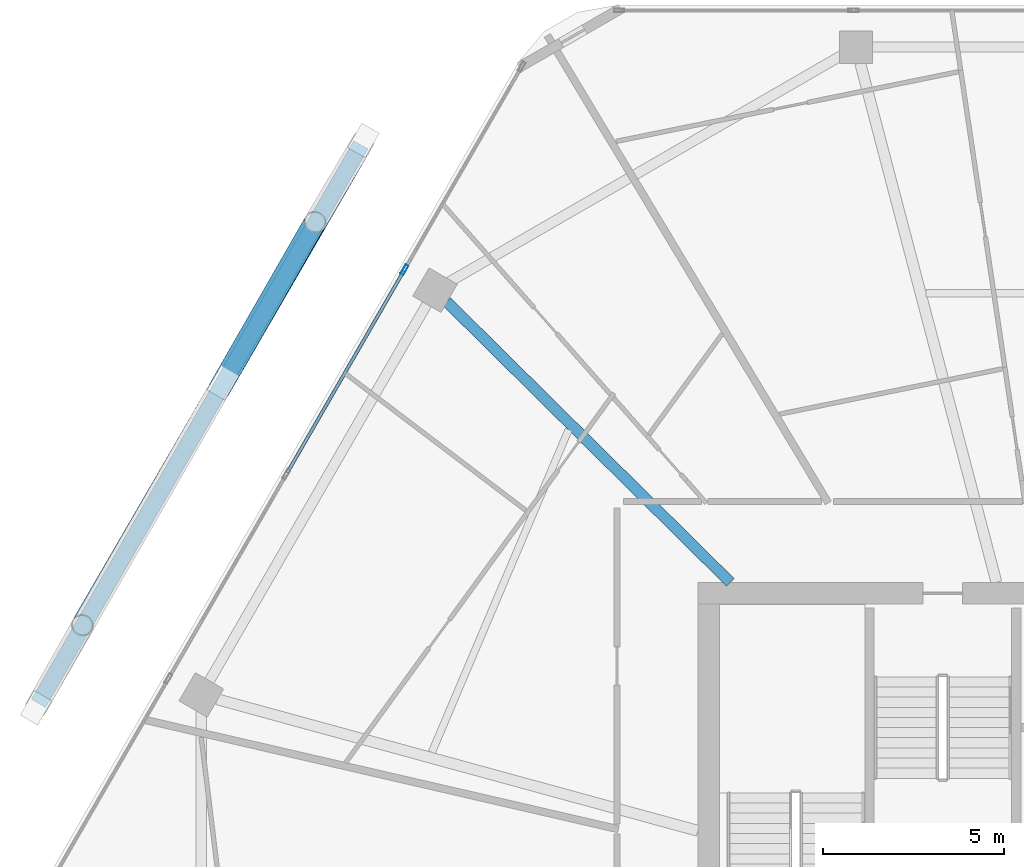
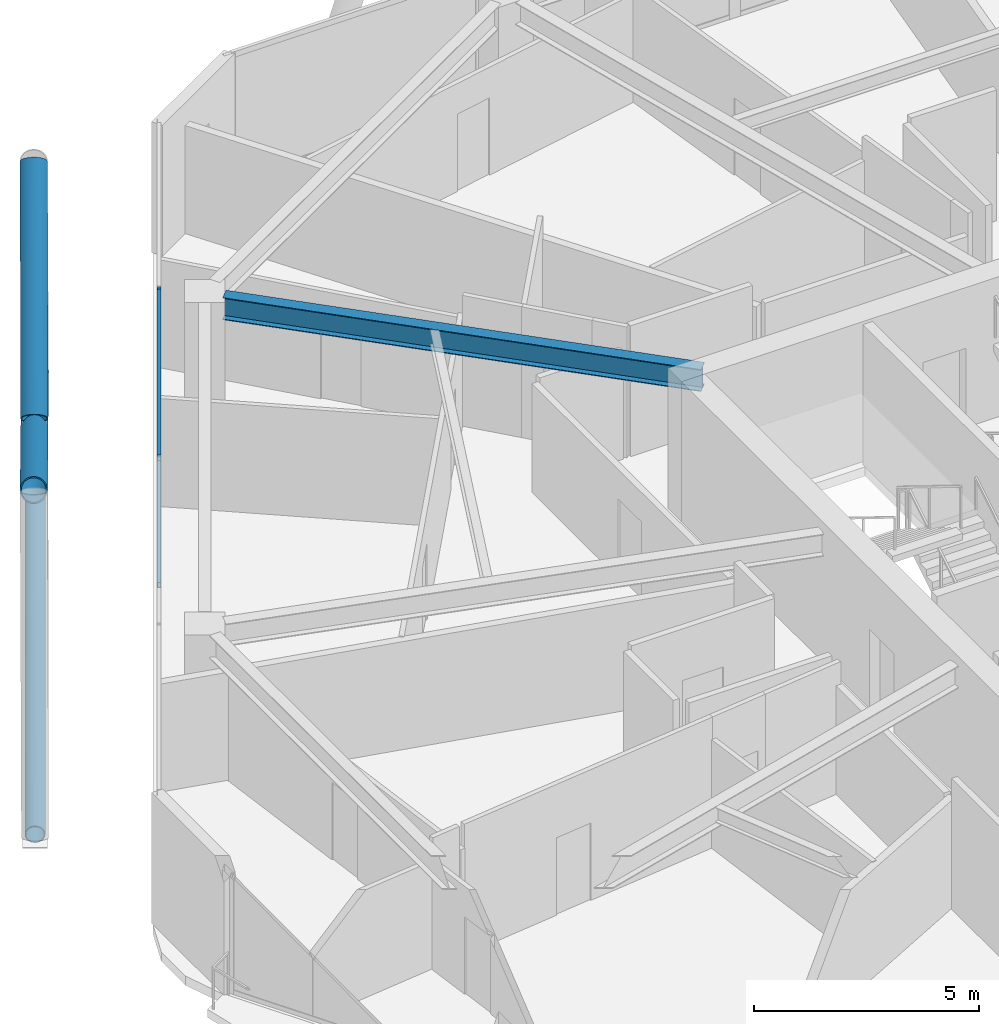
# One storey, part 13 of 27: 6 members, 1 beam, 1 element without a shape of its own.
"""IFC4 building model written with IfcOpenShell, lengths in metres."""

from ifc_helpers import new_model, si_unit, direction, frame, origin, origin_2d, place, context, subcontext, project, spatial, hollow_rectangle, hollow_circle, i_section, extrude, material, material_profile, profile_set, type_object, element, aggregate, save


model = new_model("IFC4")

# Units and contexts
model_context = context("Model", 3, precision=1e-05, world=origin(), true_north=direction((0.0, 1.0)))
body_context = subcontext(model_context, "Body", "Model", "MODEL_VIEW")
ifc_project = project(units=[si_unit("LENGTHUNIT", "METRE"), si_unit("AREAUNIT", "SQUARE_METRE"), si_unit("VOLUMEUNIT", "CUBIC_METRE"), si_unit("PLANEANGLEUNIT", "RADIAN"), si_unit("MASSUNIT", "GRAM", prefix="KILO")], contexts=[model_context])

# Site, building, storey
site_placement = place(None, origin())
site = spatial("IfcSite", under=ifc_project, at=site_placement, CompositionType="ELEMENT")
building_placement = place(site_placement, origin())
building = spatial("IfcBuilding", under=site, at=building_placement, Name="Zuhravey Tower", CompositionType="ELEMENT")
storey_placement = place(building_placement, frame((0.0, 0.0, 261.60009765625)))
storey = spatial("IfcBuildingStorey", under=building, at=storey_placement, Name="L66", CompositionType="ELEMENT", Elevation=261.60009765625)

# Curtain wall, members
ifc_material_1 = material(Name="Thermally broken anodised aluminium", Category="aluminium")
curtain_wall_type = type_object("IfcCurtainWallType", Name="Zone 3-4 High-Rise Curtain Wall CW4", PredefinedType="NOTDEFINED", material=ifc_material_1)
curtain_wall_placement = place(storey_placement, origin())
curtain_wall = element("IfcCurtainWall", 1, at=curtain_wall_placement, inside=storey, type_object=curtain_wall_type, Name="L66 CW4 CW-L66-F3-1", PredefinedType="NOTDEFINED")
ifc_material_2 = material(Name="Anodised aluminium", Category="aluminium")
ifc_material_profile_1 = material_profile(ifc_material_2, hollow_rectangle(XDim=0.090087890625, YDim=0.284912109375, WallThickness=0.0048828125, at=origin_2d()), Name="ALU-RHS-90x285x5")
ifc_profile_set_1 = profile_set([ifc_material_profile_1], Name="Anodised aluminium")
member_type_1 = type_object("IfcMemberType", Name="Curtain-Wall Mullion 90x180", PredefinedType="MULLION", material=ifc_profile_set_1)
member_1_placement = place(storey_placement, frame((17.114501953125, 50.41650390625, 0.0), z_axis=(0.0, 0.0, 1.0), x_axis=(-0.866024851021, 0.500000957414, 0.0)))
member_1 = element("IfcMember", 2, at=member_1_placement, type_object=member_type_1, Name="CW4 mullion 4", PredefinedType="MULLION", context=body_context, shape_type="SweptSolid", body=[
    extrude(hollow_rectangle(XDim=0.090087890625, YDim=0.284912109375, WallThickness=0.0048828125, at=origin_2d()), origin(), (0.0, 0.0, 1.0), 3.5498046875),
])
ifc_material_profile_2 = material_profile(ifc_material_2, hollow_rectangle(XDim=0.090087890625, YDim=0.14990234375, WallThickness=0.0048828125, at=origin_2d()), Name="ALU-RHS-90x150x5")
ifc_profile_set_2 = profile_set([ifc_material_profile_2], Name="Anodised aluminium")
member_type_2 = type_object("IfcMemberType", Name="Curtain-Wall Transom 90x150", PredefinedType="USERDEFINED", material=ifc_profile_set_2)
member_2_placement = place(storey_placement, frame((13.8837890625, 44.82080078125, 0.044921875), z_axis=(0.500014493347, 0.866017035885, 0.0), x_axis=(-0.866017035885, 0.500014493347, 0.0)))
member_2 = element("IfcMember", 3, at=member_2_placement, type_object=member_type_2, Name="CW4 transom 3.1", ObjectType="TRANSOM", PredefinedType="USERDEFINED", context=body_context, shape_type="SweptSolid", body=[
    extrude(hollow_rectangle(XDim=0.090087890625, YDim=0.14990234375, WallThickness=0.0048828125, at=origin_2d()), origin(), (0.0, 0.0, 1.0), 6.416259765625),
])
member_3_placement = place(storey_placement, frame((13.8837890625, 44.82080078125, 3.5048828125), z_axis=(0.500014493347, 0.866017035885, 0.0), x_axis=(-0.866017035885, 0.500014493347, 0.0)))
member_3 = element("IfcMember", 4, at=member_3_placement, type_object=member_type_2, Name="CW4 transom 3.2", ObjectType="TRANSOM", PredefinedType="USERDEFINED", context=body_context, shape_type="SweptSolid", body=[
    extrude(hollow_rectangle(XDim=0.090087890625, YDim=0.14990234375, WallThickness=0.0048828125, at=origin_2d()), origin(), (0.0, 0.0, 1.0), 6.416259765625),
])
aggregate(curtain_wall, [member_1, member_2, member_3])

# Members
ifc_material_3 = material(Name="Steel SM355", Category="steel")
ifc_material_profile_3 = material_profile(ifc_material_3, hollow_circle(Radius=0.228515625, WallThickness=0.02197265625, at=origin_2d()), Name="CHS-457.2x22")
ifc_profile_set_3 = profile_set([ifc_material_profile_3], Name="Steel SM355")
member_type_3 = type_object("IfcMemberType", Name="Exoskeleton Ring Tie CHS457x22", PredefinedType="CHORD", material=ifc_profile_set_3)
member_4_placement = place(storey_placement, frame((15.91552734375, 53.85986328125, -0.464111328125), z_axis=(-0.499995467921, -0.866028020366, 0.0), x_axis=(0.866028020366, -0.499995467921, 0.0)))
element("IfcMember", 5, at=member_4_placement, inside=storey, type_object=member_type_3, Name="L66 Exoskeleton Face 3 Tie EXR1", PredefinedType="CHORD", context=body_context, shape_type="SweptSolid", body=[
    extrude(hollow_circle(Radius=0.228515625, WallThickness=0.02197265625, at=origin_2d()), origin(), (0.0, 0.0, 1.0), 17.778076171875),
])
ifc_material_profile_4 = material_profile(ifc_material_3, hollow_circle(Radius=0.3046875, WallThickness=0.028076171875, at=origin_2d()), Name="CHS-609.6x28")
ifc_profile_set_4 = profile_set([ifc_material_profile_4], Name="Steel SM355")
member_type_4 = type_object("IfcMemberType", Name="Exoskeleton Zone 3 Diagrid CHS610x28", PredefinedType="BRACE", material=ifc_profile_set_4)
member_5_placement = place(storey_placement, frame((15.967041015625, 53.949462890625, -0.446044921875), z_axis=(-0.450085318429, -0.77609421854, 0.441702354627), x_axis=(0.865055050852, -0.501676946845, 0.0)))
element("IfcMember", 6, at=member_5_placement, inside=storey, type_object=member_type_4, Name="L66 Face 3 Diagrid Brace 2", PredefinedType="BRACE", context=body_context, shape_type="SweptSolid", body=[
    extrude(hollow_circle(Radius=0.3046875, WallThickness=0.028076171875, at=origin_2d()), origin(), (0.0, 0.0, 1.0), 17.12451171875),
])
member_6_placement = place(storey_placement, frame((12.23095703125, 47.509521484375, 3.51220703125), z_axis=(0.398806408664, 0.695488862522, 0.597702844661), x_axis=(-0.86749842423, 0.49743993, 0.0)))
element("IfcMember", 7, at=member_6_placement, inside=storey, type_object=member_type_4, Name="L66 Face 3 Split Diagrid Brace 3B", PredefinedType="BRACE", context=body_context, shape_type="SweptSolid", body=[
    extrude(hollow_circle(Radius=0.3046875, WallThickness=0.028076171875, at=origin_2d()), origin(), (0.0, 0.0, 1.0), 6.02197265625),
])

# Beam
ifc_material_profile_5 = material_profile(ifc_material_3, i_section(OverallWidth=0.300048828125, OverallDepth=0.60009765625, WebThickness=0.011962890625, FlangeThickness=0.02001953125, at=origin_2d()), Name="H-600x300x12x20")
ifc_profile_set_5 = profile_set([ifc_material_profile_5], Name="Steel SM355")
beam_type = type_object("IfcBeamType", Name="Radial Primary Girder H600x300", PredefinedType="BEAM", material=ifc_profile_set_5)
beam_placement = place(storey_placement, frame((26.09326171875, 41.802978515625, 3.25), z_axis=(-0.710816516282, 0.703377480576, 0.0), x_axis=(-0.703377480576, -0.710816516282, 0.0)))
element("IfcBeam", 8, at=beam_placement, inside=storey, type_object=beam_type, Name="L66 RG3 BM-L66-RAD-05", PredefinedType="BEAM", context=body_context, shape_type="SweptSolid", body=[
    extrude(i_section(OverallWidth=0.300048828125, OverallDepth=0.60009765625, WebThickness=0.011962890625, FlangeThickness=0.02001953125, at=origin_2d()), origin(), (0.0, 0.0, 1.0), 10.994384765625),
])

save(model, "model.ifc")
